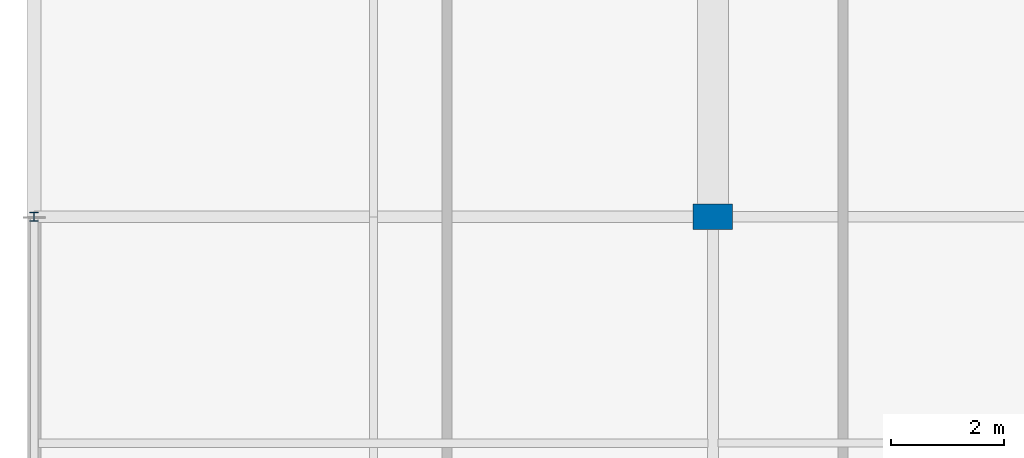
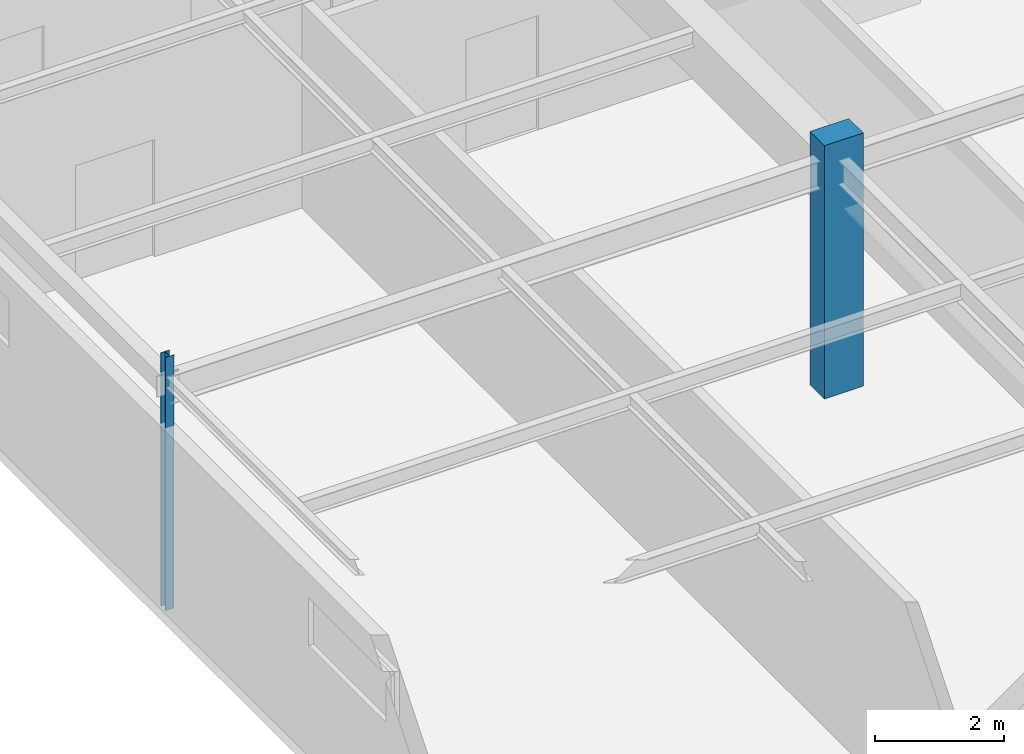
# One storey, part 15 of 186: 2 columns.
"""IFC4 building model written with IfcOpenShell, lengths in metres."""

from ifc_helpers import new_model, si_unit, direction, frame, origin, origin_2d, place, context, subcontext, project, spatial, rectangle, i_section, extrude, material, material_profile, profile_set, type_object, element, save


model = new_model("IFC4")

# Units and contexts
model_context = context("Model", 3, precision=1e-05, world=origin(), true_north=direction((0.0, 1.0)))
body_context = subcontext(model_context, "Body", "Model", "MODEL_VIEW")
ifc_project = project(units=[si_unit("LENGTHUNIT", "METRE"), si_unit("AREAUNIT", "SQUARE_METRE"), si_unit("VOLUMEUNIT", "CUBIC_METRE"), si_unit("PLANEANGLEUNIT", "RADIAN"), si_unit("MASSUNIT", "GRAM", prefix="KILO")], contexts=[model_context])

# Site, building, storey
site_placement = place(None, origin())
site = spatial("IfcSite", under=ifc_project, at=site_placement, CompositionType="ELEMENT")
building_placement = place(site_placement, origin())
building = spatial("IfcBuilding", under=site, at=building_placement, Name="Tarnwether General Hospital", CompositionType="ELEMENT")
storey_placement = place(building_placement, frame((0.0, 0.0, 9.60009765625)))
storey = spatial("IfcBuildingStorey", under=building, at=storey_placement, Name="L02", CompositionType="ELEMENT", Elevation=9.60009765625)

# Columns
ifc_material_1 = material(Name="Concrete 50 MPa", Category="concrete")
ifc_material_profile_1 = material_profile(ifc_material_1, rectangle(XDim=0.449951171875, YDim=0.699951171875, at=origin_2d()), Name="RC-PIL-450x700")
ifc_profile_set_1 = profile_set([ifc_material_profile_1], Name="Concrete 50 MPa")
column_type_1 = type_object("IfcColumnType", Name="COL-22", PredefinedType="PILASTER", material=ifc_profile_set_1)
column_1_placement = place(storey_placement, frame((12.0, 69.60009765625, 0.0), z_axis=(0.0, 0.0, 1.0), x_axis=(0.0, 1.0, 0.0)))
element("IfcColumn", 1, at=column_1_placement, inside=storey, type_object=column_type_1, Name="Column COLG-L02-1200_6960", PredefinedType="PILASTER", context=body_context, shape_type="SweptSolid", body=[
    extrude(rectangle(XDim=0.449951171875, YDim=0.699951171875, at=origin_2d()), origin(), (0.0, 0.0, 1.0), 4.7998046875),
])
ifc_material_2 = material(Name="Steel Grade 350 (350 MPa)", Category="steel")
ifc_material_profile_2 = material_profile(ifc_material_2, i_section(OverallWidth=0.152099609375, OverallDepth=0.152099609375, WebThickness=0.006103515625, FlangeThickness=0.0068359375, at=origin_2d()), Name="150UC23.4")
ifc_profile_set_2 = profile_set([ifc_material_profile_2], Name="Steel Grade 350 (350 MPa)")
column_type_2 = type_object("IfcColumnType", Name="COL-32", PredefinedType="COLUMN", material=ifc_profile_set_2)
column_2_placement = place(storey_placement, frame((0.0, 69.60009765625, 0.0), z_axis=(0.0, 0.0, 1.0), x_axis=(1.0, 0.0, 0.0)))
element("IfcColumn", 2, at=column_2_placement, inside=storey, type_object=column_type_2, Name="Column COLG-L02-0_6960", PredefinedType="COLUMN", context=body_context, shape_type="SweptSolid", body=[
    extrude(i_section(OverallWidth=0.152099609375, OverallDepth=0.152099609375, WebThickness=0.006103515625, FlangeThickness=0.0068359375, at=origin_2d()), origin(), (0.0, 0.0, 1.0), 4.7998046875),
])

save(model, "model.ifc")
